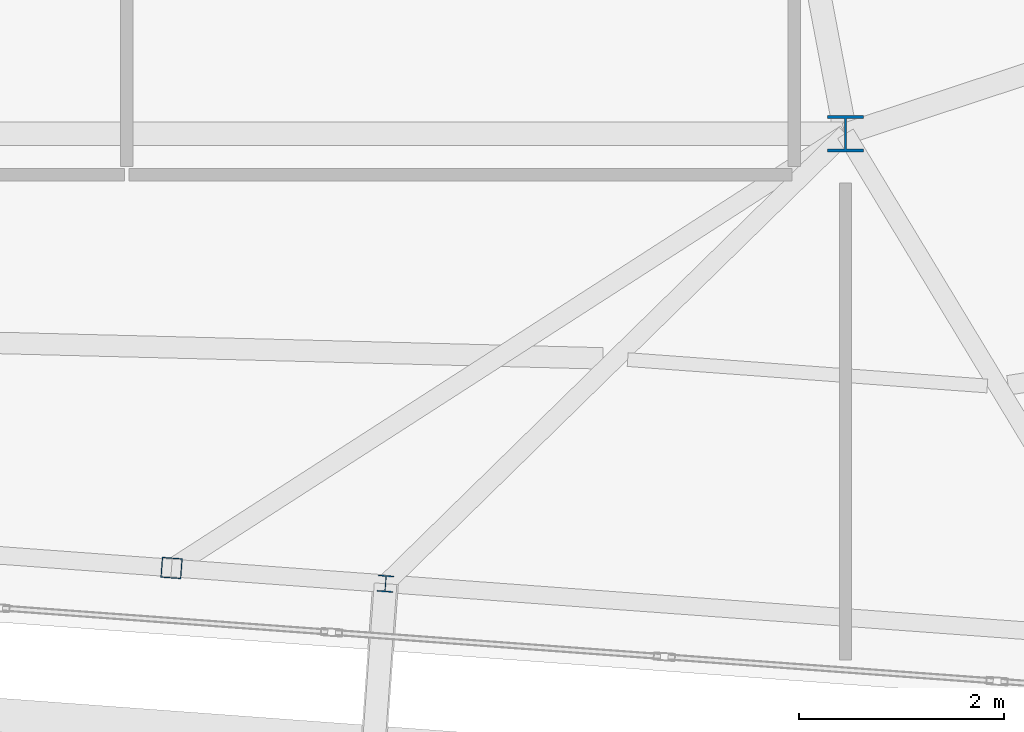
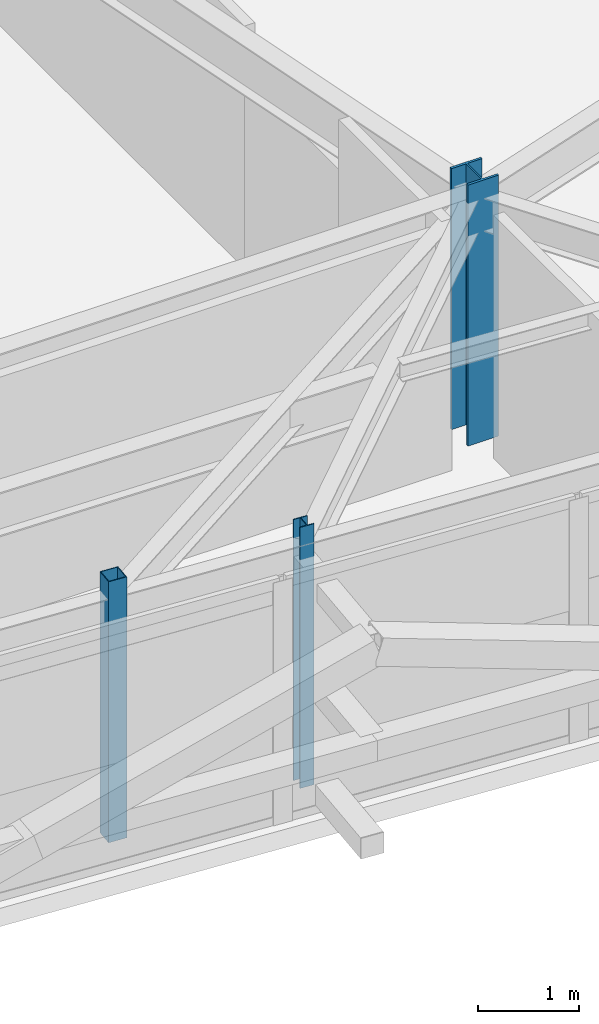
# One storey, part 2 of 42: 3 columns.
"""IFC4 building model written with IfcOpenShell, lengths in metres."""

import ifcopenshell
import ifcopenshell.guid

model = None  # the IFC model being written
_history = None  # IfcOwnerHistory: only IFC2X3 demands one
_inside = {}  # id of a spatial element -> (the spatial element, [elements in it])
_under = {}  # id of a project, library or spatial element -> (it, [spatial elements below it])
_declared = {}  # id of a project -> (the project, [libraries it declares])
_typed = {}  # id of a type object -> (the type object, [elements of that type])
_made_of = {}  # id of a material, layer set ... -> (it, [elements and type objects made of it])


def new_model(schema):
    """Start an empty IFC model of exactly this schema.

    Asked for "IFC4X3", IfcOpenShell would pick the latest addendum, in which some entities
    have other attributes; the version numbers below select the first issue.
    IFC2X3 requires an IfcOwnerHistory on every rooted entity: one is made here for all.
    """
    global model, _history
    if schema == "IFC4X3":
        model = ifcopenshell.file(schema_version=(4, 3, 0, 0))
    else:
        model = ifcopenshell.file(schema=schema)
    _inside.clear()
    _under.clear()
    _declared.clear()
    _typed.clear()
    _made_of.clear()
    _history = None
    if model.schema == "IFC2X3":
        org = make("IfcOrganization", Name="unknown")
        user = make(
            "IfcPersonAndOrganization",
            ThePerson=make("IfcPerson", FamilyName="unknown"),
            TheOrganization=org,
        )
        app = make(
            "IfcApplication",
            ApplicationDeveloper=org,
            Version="unknown",
            ApplicationFullName="unknown",
            ApplicationIdentifier="unknown",
        )
        _history = make(
            "IfcOwnerHistory",
            OwningUser=user,
            OwningApplication=app,
            ChangeAction="ADDED",
            CreationDate=0,
        )
    return model


def make(cls, **values):
    """One entity of the class cls with the attributes given. An attribute that is None is left unset."""
    return model.create_entity(
        cls, **{name: value for name, value in values.items() if value is not None}
    )


def rooted(cls, **values):
    """An entity with a GlobalId (a new one), such as an element, a storey or a relation."""
    return make(cls, GlobalId=ifcopenshell.guid.new(), OwnerHistory=_history, **values)


def si_unit(unit_type, name, prefix=None):
    """IfcSIUnit, for example si_unit("LENGTHUNIT", "METRE", prefix="MILLI")."""
    return make("IfcSIUnit", UnitType=unit_type, Prefix=prefix, Name=name)


def assignment(units):
    """IfcUnitAssignment: the units of a project."""
    return None if units is None else make("IfcUnitAssignment", Units=units)


def point(xyz):
    """IfcCartesianPoint."""
    return None if xyz is None else make("IfcCartesianPoint", Coordinates=xyz)


def direction(xyz):
    """IfcDirection."""
    return None if xyz is None else make("IfcDirection", DirectionRatios=xyz)


def frame(location, z_axis=None, x_axis=None):
    """IfcAxis2Placement3D, a coordinate frame: its origin and axes. An axis left out is left unset."""
    return make(
        "IfcAxis2Placement3D",
        Location=point(location),
        Axis=direction(z_axis),
        RefDirection=direction(x_axis),
    )


def frame_2d(location, x_axis=None):
    """IfcAxis2Placement2D, a coordinate frame in the plane: its origin and x axis."""
    return make(
        "IfcAxis2Placement2D", Location=point(location), RefDirection=direction(x_axis)
    )


def origin():
    """The frame at (0, 0, 0) with its axes left unset."""
    return frame((0.0, 0.0, 0.0))


def origin_2d():
    """The frame at (0, 0) in the plane with its x axis left unset."""
    return frame_2d((0.0, 0.0))


def place(relative_to, where):
    """IfcLocalPlacement: puts the frame where relative to a parent placement (None: the world)."""
    return make(
        "IfcLocalPlacement", PlacementRelTo=relative_to, RelativePlacement=where
    )


def context(
    kind, dimensions, precision=None, world=None, true_north=None, identifier=None
):
    """IfcGeometricRepresentationContext, for example the 3D "Model" context."""
    return make(
        "IfcGeometricRepresentationContext",
        ContextIdentifier=identifier,
        ContextType=kind,
        CoordinateSpaceDimension=dimensions,
        Precision=precision,
        WorldCoordinateSystem=world,
        TrueNorth=true_north,
    )


def subcontext(parent, identifier, kind, view, scale=None):
    """IfcGeometricRepresentationSubContext, for example "Body" below "Model"."""
    return make(
        "IfcGeometricRepresentationSubContext",
        ContextIdentifier=identifier,
        ContextType=kind,
        ParentContext=parent,
        TargetScale=scale,
        TargetView=view,
    )


def project(units=None, contexts=None):
    """IfcProject with its units and contexts."""
    return rooted(
        "IfcProject",
        Name="project",
        RepresentationContexts=contexts,
        UnitsInContext=assignment(units),
    )


def spatial(cls, under=None, at=None, **own):
    """A site, building, storey or space (cls), placed at a placement, below another one or the project."""
    s = rooted(cls, ObjectPlacement=at, **own)
    if under is not None:
        _under.setdefault(under.id(), (under, []))[1].append(s)
    return s


def profile(cls, at=None, kind="AREA", **sizes):
    """A parametric profile (cls). Its sizes go by their IFC names, for example OverallWidth=200.0."""
    return make(cls, ProfileType=kind, Position=at, **sizes)


def hollow_rectangle(**sizes):
    """IfcRectangleHollowProfileDef."""
    return profile("IfcRectangleHollowProfileDef", **sizes)


def i_section(**sizes):
    """IfcIShapeProfileDef."""
    return profile("IfcIShapeProfileDef", **sizes)


def extrude(swept, where, along, depth):
    """IfcExtrudedAreaSolid: the profile swept, set in the frame where, extruded along a direction by depth."""
    return make(
        "IfcExtrudedAreaSolid",
        SweptArea=swept,
        Position=where,
        ExtrudedDirection=direction(along),
        Depth=depth,
    )


def shape(context_of_items, identifier, shape_type, items):
    """IfcShapeRepresentation: the items that make up one representation, for example the "Body"."""
    return make(
        "IfcShapeRepresentation",
        ContextOfItems=context_of_items,
        RepresentationIdentifier=identifier,
        RepresentationType=shape_type,
        Items=items,
    )


def source(mapping_origin, context_of_items, identifier, shape_type, items):
    """IfcRepresentationMap: a shape defined once, which mapped items show again and again."""
    return make(
        "IfcRepresentationMap",
        MappingOrigin=mapping_origin,
        MappedRepresentation=shape(context_of_items, identifier, shape_type, items),
    )


def transform(
    local_origin,
    x_axis=None,
    y_axis=None,
    z_axis=None,
    scale=None,
    scale2=None,
    scale3=None,
    uniform=True,
):
    """IfcCartesianTransformationOperator3D, or its non-uniform kind. x_axis, y_axis, z_axis: its Axis1, 2, 3."""
    if uniform:
        return make(
            "IfcCartesianTransformationOperator3D",
            Axis1=direction(x_axis),
            Axis2=direction(y_axis),
            LocalOrigin=point(local_origin),
            Scale=scale,
            Axis3=direction(z_axis),
        )
    return make(
        "IfcCartesianTransformationOperator3DnonUniform",
        Axis1=direction(x_axis),
        Axis2=direction(y_axis),
        LocalOrigin=point(local_origin),
        Scale=scale,
        Axis3=direction(z_axis),
        Scale2=scale2,
        Scale3=scale3,
    )


def mapped(mapping_source, mapping_target):
    """IfcMappedItem: shows the shape of a source again, moved by a transform."""
    return make(
        "IfcMappedItem", MappingSource=mapping_source, MappingTarget=mapping_target
    )


def material(Name=None, Category=None):
    """IfcMaterial."""
    return make("IfcMaterial", Name=Name, Category=Category)


def material_profile(
    of_material, cross_section, Name=None, Category=None, Priority=None
):
    """IfcMaterialProfile: a cross section and its material."""
    return make(
        "IfcMaterialProfile",
        Name=Name,
        Material=of_material,
        Profile=cross_section,
        Priority=Priority,
        Category=Category,
    )


def profile_set(profiles, Name=None, composite=None):
    """IfcMaterialProfileSet."""
    return make(
        "IfcMaterialProfileSet",
        Name=Name,
        MaterialProfiles=profiles,
        CompositeProfile=composite,
    )


def made_of(thing, what):
    """Note that an element or type object is made of a material, layer set ...; save() writes the relation."""
    if what is not None:
        _made_of.setdefault(what.id(), (what, []))[1].append(thing)
    return thing


def type_object(cls, material=None, **own):
    """A type object (cls), such as IfcWallType, which elements share."""
    return made_of(rooted(cls, **own), material)


def element(
    cls,
    number,
    at=None,
    inside=None,
    cuts=None,
    type_object=None,
    material=None,
    context=None,
    identifier="Body",
    shape_type=None,
    held_by="IfcProductDefinitionShape",
    body=None,
    shapes=None,
    **own,
):
    """One element of the class cls, such as IfcWall. Its Tag is "e" and its number.

    at: its placement. inside: the storey or other place that contains it. cuts: it is an
    opening in that element (IfcRelVoidsElement). A single representation is given by context,
    identifier, shape_type and body (its items); several are given by shapes. held_by: the class
    of the entity that holds the representations. save() writes the other relations.
    """
    e = rooted(cls, Tag="e%d" % number, ObjectPlacement=at, **own)
    if body is not None:
        shapes = [shape(context, identifier, shape_type, body)]
    if shapes is not None:
        e.Representation = make(held_by, Representations=shapes)
    if inside is not None:
        _inside.setdefault(inside.id(), (inside, []))[1].append(e)
    if cuts is not None:
        rooted(
            "IfcRelVoidsElement", RelatingBuildingElement=cuts, RelatedOpeningElement=e
        )
    if type_object is not None:
        _typed.setdefault(type_object.id(), (type_object, []))[1].append(e)
    return made_of(e, material)


def aggregate(whole, parts):
    """IfcRelAggregates: a whole, such as a stair, and the parts it consists of."""
    return rooted("IfcRelAggregates", RelatingObject=whole, RelatedObjects=parts)


def save(model, path):
    """Write the relations noted so far, then the file.

    IfcRelAggregates (storeys below a building ...), IfcRelContainedInSpatialStructure (elements
    in a storey), IfcRelDefinesByType, IfcRelAssociatesMaterial and IfcRelDeclares: one each for
    every whole, place, type object, material and project.
    """
    for whole, parts in _under.values():
        aggregate(whole, parts)
    for where, things in _inside.values():
        rooted(
            "IfcRelContainedInSpatialStructure",
            RelatedElements=things,
            RelatingStructure=where,
        )
    for kind, things in _typed.values():
        rooted("IfcRelDefinesByType", RelatedObjects=things, RelatingType=kind)
    for what, things in _made_of.values():
        rooted("IfcRelAssociatesMaterial", RelatedObjects=things, RelatingMaterial=what)
    for by, libraries in _declared.values():
        rooted("IfcRelDeclares", RelatingContext=by, RelatedDefinitions=libraries)
    model.write(path)


model = new_model("IFC4")

# Units and contexts
model_context = context("Model", 3, precision=1e-05, world=origin(), true_north=direction((0.0, 1.0)))
body_context = subcontext(model_context, "Body", "Model", "MODEL_VIEW")
ifc_project = project(units=[si_unit("LENGTHUNIT", "METRE"), si_unit("AREAUNIT", "SQUARE_METRE"), si_unit("VOLUMEUNIT", "CUBIC_METRE"), si_unit("PLANEANGLEUNIT", "RADIAN"), si_unit("MASSUNIT", "GRAM", prefix="KILO")], contexts=[model_context])

# Site, building, storey
site_placement = place(None, origin())
site = spatial("IfcSite", under=ifc_project, at=site_placement, CompositionType="ELEMENT")
building_placement = place(site_placement, origin())
building = spatial("IfcBuilding", under=site, at=building_placement, Name="Taldren Reach Tower", CompositionType="ELEMENT")
storey_placement = place(building_placement, frame((0.0, 0.0, 217.699951171875)))
storey = spatial("IfcBuildingStorey", under=building, at=storey_placement, Name="L66", CompositionType="ELEMENT", Elevation=217.699951171875)

# Columns
ifc_material_1 = material(Name="Steel Gr 350 (350PLUS)", Category="steel")
ifc_material_profile_1 = material_profile(ifc_material_1, i_section(OverallWidth=0.35009765625, OverallDepth=0.35595703125, WebThickness=0.01806640625, FlangeThickness=0.028076171875, at=origin_2d()), Name="350WC197")
ifc_profile_set_1 = profile_set([ifc_material_profile_1], Name="Steel Gr 350 (350PLUS)")
column_type_1 = type_object("IfcColumnType", Name="COL-WC350", PredefinedType="COLUMN", material=ifc_profile_set_1)
shared_shape_1 = source(origin(), body_context, "Body", "SweptSolid", [
    extrude(i_section(OverallWidth=0.35009765625, OverallDepth=0.35595703125, WebThickness=0.01806640625, FlangeThickness=0.028076171875, at=origin_2d()), origin(), (0.0, 0.0, 1.0), 3.150146484375),
])
column_1_placement = place(storey_placement, frame((42.0, 9.199951171875, 0.0), z_axis=(0.0, 0.0, 1.0), x_axis=(1.0, 0.0, 0.0)))
element("IfcColumn", 1, at=column_1_placement, inside=storey, type_object=column_type_1, Name="Mega column MC-PJE L66", PredefinedType="COLUMN", context=body_context, shape_type="MappedRepresentation", body=[
    mapped(shared_shape_1, transform((0.0, 0.0, 0.0), scale=1.0)),
])
ifc_material_2 = material(Name="Steel Gr 350 (C350L0)", Category="steel")
ifc_material_profile_2 = material_profile(ifc_material_2, hollow_rectangle(XDim=0.199951171875, YDim=0.199951171875, WallThickness=0.009033203125, at=origin_2d()), Name="200x200x9.0SHS")
ifc_profile_set_2 = profile_set([ifc_material_profile_2], Name="Steel Gr 350 (C350L0)")
column_type_2 = type_object("IfcColumnType", Name="COL-SHS200", PredefinedType="COLUMN", material=ifc_profile_set_2)
shared_shape_2 = source(origin(), body_context, "Body", "SweptSolid", [
    extrude(hollow_rectangle(XDim=0.199951171875, YDim=0.199951171875, WallThickness=0.009033203125, at=origin_2d()), origin(), (0.0, 0.0, 1.0), 3.150146484375),
])
column_2_placement = place(storey_placement, frame((35.43603515625, 4.9697265625, 0.0), z_axis=(0.0, 0.0, 1.0), x_axis=(0.997314477224, -0.073238197128, 0.0)))
element("IfcColumn", 2, at=column_2_placement, inside=storey, type_object=column_type_2, Name="Block B5 perimeter column PJ2 L66", PredefinedType="COLUMN", context=body_context, shape_type="MappedRepresentation", body=[
    mapped(shared_shape_2, transform((0.0, 0.0, 0.0), scale=1.0)),
])
ifc_material_profile_3 = material_profile(ifc_material_1, i_section(OverallWidth=0.154052734375, OverallDepth=0.162109375, WebThickness=0.008056640625, FlangeThickness=0.011474609375, at=origin_2d()), Name="150UC37.2")
ifc_profile_set_3 = profile_set([ifc_material_profile_3], Name="Steel Gr 350 (350PLUS)")
column_type_3 = type_object("IfcColumnType", Name="COL-UC150", PredefinedType="COLUMN", material=ifc_profile_set_3)
shared_shape_3 = source(origin(), body_context, "Body", "SweptSolid", [
    extrude(i_section(OverallWidth=0.154052734375, OverallDepth=0.162109375, WebThickness=0.008056640625, FlangeThickness=0.011474609375, at=origin_2d()), origin(), (0.0, 0.0, 1.0), 3.150146484375),
])
column_3_placement = place(storey_placement, frame((37.5205078125, 4.81689453125, 0.0), z_axis=(0.0, 0.0, 1.0), x_axis=(0.997314477224, -0.073238197128, 0.0)))
element("IfcColumn", 3, at=column_3_placement, inside=storey, type_object=column_type_3, Name="Block B5 perimeter column S4 L66", PredefinedType="COLUMN", context=body_context, shape_type="MappedRepresentation", body=[
    mapped(shared_shape_3, transform((0.0, 0.0, 0.0), scale=1.0)),
])

save(model, "model.ifc")
